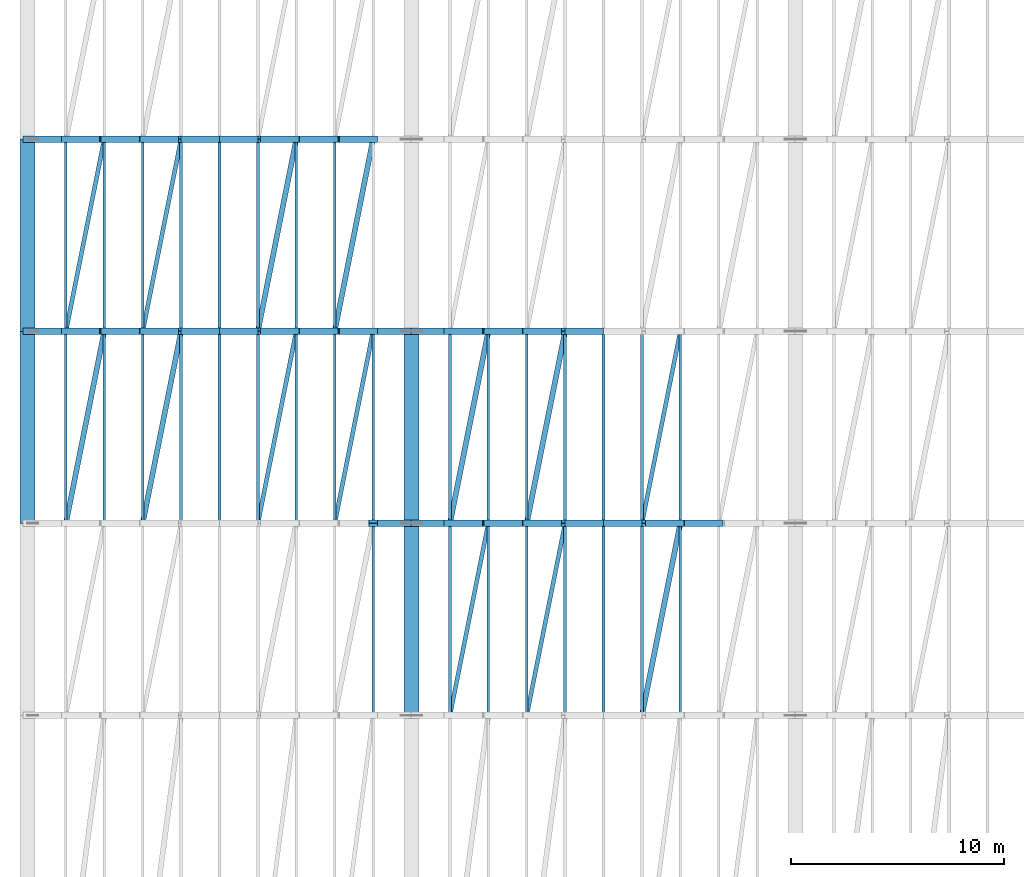
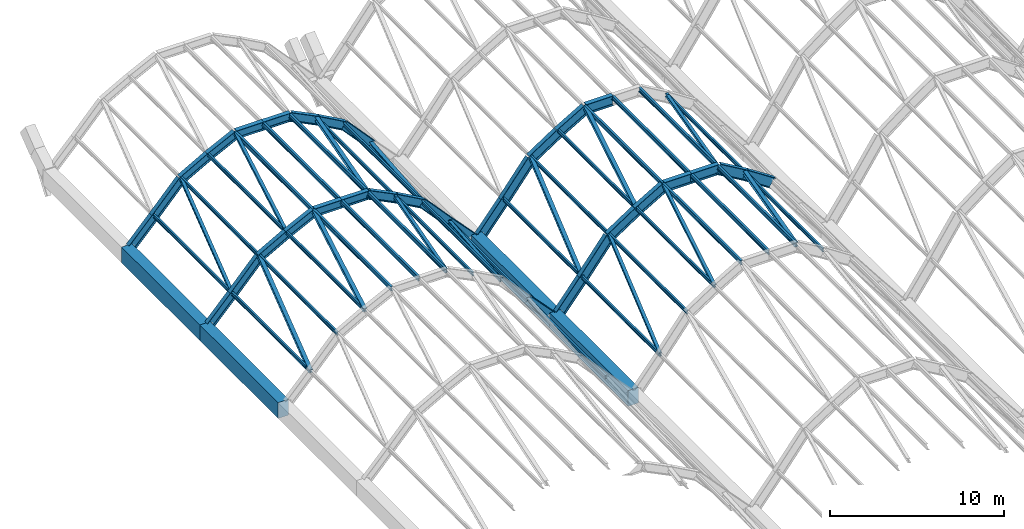
# One storey, part 18 of 86: 46 members, 37 beams.
"""IFC4 building model written with IfcOpenShell, lengths in metres."""

from ifc_helpers import new_model, si_unit, direction, frame, origin, origin_2d, place, context, subcontext, project, spatial, rectangle, i_section, extrude, material, material_profile, profile_set, type_object, element, save


model = new_model("IFC4")

# Units and contexts
model_context = context("Model", 3, precision=1e-05, world=origin(), true_north=direction((0.0, 1.0)))
body_context = subcontext(model_context, "Body", "Model", "MODEL_VIEW")
ifc_project = project(units=[si_unit("LENGTHUNIT", "METRE"), si_unit("AREAUNIT", "SQUARE_METRE"), si_unit("VOLUMEUNIT", "CUBIC_METRE"), si_unit("PLANEANGLEUNIT", "RADIAN"), si_unit("MASSUNIT", "GRAM", prefix="KILO")], contexts=[model_context])

# Site, building, storey
site_placement = place(None, origin())
site = spatial("IfcSite", under=ifc_project, at=site_placement, CompositionType="ELEMENT")
building_placement = place(site_placement, origin())
building = spatial("IfcBuilding", under=site, at=building_placement, Name="Chuanluo Vaults Station", CompositionType="ELEMENT")
storey_placement = place(building_placement, frame((0.0, 0.0, 14.39990234375)))
storey = spatial("IfcBuildingStorey", under=building, at=storey_placement, Name="L03", CompositionType="ELEMENT", Elevation=14.39990234375)

# Beams
ifc_material_1 = material(Name="Concrete C50", Category="concrete")
ifc_material_profile_1 = material_profile(ifc_material_1, rectangle(XDim=0.699951171875, YDim=1.10009765625, at=origin_2d()))
ifc_profile_set_1 = profile_set([ifc_material_profile_1], Name="Concrete C50")
beam_type_1 = type_object("IfcBeamType", Name="BM-VAL-RC", PredefinedType="USERDEFINED", material=ifc_profile_set_1)
for number, where, z_axis, x_axis, name in (
    (1, (0.0, 76.5, -0.7998046875), (0.0, 1.0, 0.0), (-1.0, 0.0, 0.0), "Vault springing valley beam X0-6"),
    (2, (0.0, 85.5, -0.7998046875), (0.0, 1.0, 0.0), (-1.0, 0.0, 0.0), "Vault springing valley beam X0-7"),
    (3, (18.0, 67.5, -0.7998046875), (0.0, 1.0, 0.0), (-1.0, 0.0, 0.0), "Vault springing valley beam X18-5"),
    (4, (18.0, 76.5, -0.7998046875), (0.0, 1.0, 0.0), (-1.0, 0.0, 0.0), "Vault springing valley beam X18-6"),
):
    element("IfcBeam", number, at=place(storey_placement, frame(where, z_axis=z_axis, x_axis=x_axis)), inside=storey, type_object=beam_type_1, Name=name, ObjectType="GIRDER", PredefinedType="USERDEFINED", context=body_context, shape_type="SweptSolid", body=[
        extrude(rectangle(XDim=0.699951171875, YDim=1.10009765625, at=origin_2d()), origin(), (0.0, 0.0, 1.0), 9.0),
    ])
ifc_material_2 = material(Name="Steel Q355C", Category="steel")
ifc_material_profile_2 = material_profile(ifc_material_2, i_section(OverallWidth=0.300048828125, OverallDepth=0.587890625, WebThickness=0.011962890625, FlangeThickness=0.02001953125, FilletRadius=0.02392578125, at=origin_2d()))
ifc_profile_set_2 = profile_set([ifc_material_profile_2], Name="Steel Q355C")
beam_type_2 = type_object("IfcBeamType", Name="BM-VLT-600", PredefinedType="USERDEFINED", material=ifc_profile_set_2)
for number, where, z_axis, x_axis, name in (
    (5, (16.199951171875, 76.5, 1.173095703125), (0.684521510403, 0.0, -0.728992662374), (0.0, 1.0, 0.0), "Vault V1 arch rib 6 chord 10"),
    (6, (0.0, 85.5, -0.743896484375), (0.684521510403, 0.0, 0.728992662374), (0.0, 1.0, 0.0), "Vault V1 arch rib 7 chord 1"),
):
    element("IfcBeam", number, at=place(storey_placement, frame(where, z_axis=z_axis, x_axis=x_axis)), inside=storey, type_object=beam_type_2, Name=name, ObjectType="GIRDER", PredefinedType="USERDEFINED", context=body_context, shape_type="SweptSolid", body=[
        extrude(i_section(OverallWidth=0.300048828125, OverallDepth=0.587890625, WebThickness=0.011962890625, FlangeThickness=0.02001953125, FilletRadius=0.02392578125, at=origin_2d()), origin(), (0.0, 0.0, 1.0), 2.629638671875),
    ])
beam_1_placement = place(storey_placement, frame((1.800048828125, 85.5, 1.173095703125), z_axis=(0.674369120381, 0.0, 0.738394399679), x_axis=(0.0, 1.0, 0.0)))
element("IfcBeam", 7, at=beam_1_placement, inside=storey, type_object=beam_type_2, Name="Vault V1 arch rib 7 chord 2", ObjectType="GIRDER", PredefinedType="USERDEFINED", context=body_context, shape_type="SweptSolid", body=[
    extrude(i_section(OverallWidth=0.300048828125, OverallDepth=0.587890625, WebThickness=0.011962890625, FlangeThickness=0.02001953125, FilletRadius=0.02392578125, at=origin_2d()), origin(), (0.0, 0.0, 1.0), 2.669189453125),
])
beam_2_placement = place(storey_placement, frame((3.60009765625, 85.5, 3.14404296875), z_axis=(0.873681685546, 0.0, 0.486498008569), x_axis=(0.0, 1.0, 0.0)))
element("IfcBeam", 8, at=beam_2_placement, inside=storey, type_object=beam_type_2, Name="Vault V1 arch rib 7 chord 3", ObjectType="GIRDER", PredefinedType="USERDEFINED", context=body_context, shape_type="SweptSolid", body=[
    extrude(i_section(OverallWidth=0.300048828125, OverallDepth=0.587890625, WebThickness=0.011962890625, FlangeThickness=0.02001953125, FilletRadius=0.02392578125, at=origin_2d()), origin(), (0.0, 0.0, 1.0), 2.06005859375),
])
beam_3_placement = place(storey_placement, frame((5.39990234375, 85.5, 4.146240234375), z_axis=(0.896436371213, 0.0, 0.443172463457), x_axis=(0.0, 1.0, 0.0)))
element("IfcBeam", 9, at=beam_3_placement, inside=storey, type_object=beam_type_2, Name="Vault V1 arch rib 7 chord 4", ObjectType="GIRDER", PredefinedType="USERDEFINED", context=body_context, shape_type="SweptSolid", body=[
    extrude(i_section(OverallWidth=0.300048828125, OverallDepth=0.587890625, WebThickness=0.011962890625, FlangeThickness=0.02001953125, FilletRadius=0.02392578125, at=origin_2d()), origin(), (0.0, 0.0, 1.0), 2.008056640625),
])
for number, where, z_axis, x_axis, name in (
    (10, (7.199951171875, 85.5, 5.0361328125), (1.0, 0.0, 0.0), (0.0, 1.0, 0.0), "Vault V1 arch rib 7 chord 5"),
    (11, (9.0, 85.5, 5.0361328125), (1.0, 0.0, 0.0), (0.0, 1.0, 0.0), "Vault V1 arch rib 7 chord 6"),
):
    element("IfcBeam", number, at=place(storey_placement, frame(where, z_axis=z_axis, x_axis=x_axis)), inside=storey, type_object=beam_type_2, Name=name, ObjectType="GIRDER", PredefinedType="USERDEFINED", context=body_context, shape_type="SweptSolid", body=[
        extrude(i_section(OverallWidth=0.300048828125, OverallDepth=0.587890625, WebThickness=0.011962890625, FlangeThickness=0.02001953125, FilletRadius=0.02392578125, at=origin_2d()), origin(), (0.0, 0.0, 1.0), 1.800048828125),
    ])
beam_4_placement = place(storey_placement, frame((10.800048828125, 85.5, 5.0361328125), z_axis=(0.896436371213, 0.0, -0.443172463457), x_axis=(0.0, 1.0, 0.0)))
element("IfcBeam", 12, at=beam_4_placement, inside=storey, type_object=beam_type_2, Name="Vault V1 arch rib 7 chord 7", ObjectType="GIRDER", PredefinedType="USERDEFINED", context=body_context, shape_type="SweptSolid", body=[
    extrude(i_section(OverallWidth=0.300048828125, OverallDepth=0.587890625, WebThickness=0.011962890625, FlangeThickness=0.02001953125, FilletRadius=0.02392578125, at=origin_2d()), origin(), (0.0, 0.0, 1.0), 2.008056640625),
])
beam_5_placement = place(storey_placement, frame((12.60009765625, 85.5, 4.146240234375), z_axis=(0.873681685546, 0.0, -0.486498008569), x_axis=(0.0, 1.0, 0.0)))
element("IfcBeam", 13, at=beam_5_placement, inside=storey, type_object=beam_type_2, Name="Vault V1 arch rib 7 chord 8", ObjectType="GIRDER", PredefinedType="USERDEFINED", context=body_context, shape_type="SweptSolid", body=[
    extrude(i_section(OverallWidth=0.300048828125, OverallDepth=0.587890625, WebThickness=0.011962890625, FlangeThickness=0.02001953125, FilletRadius=0.02392578125, at=origin_2d()), origin(), (0.0, 0.0, 1.0), 2.06005859375),
])
beam_6_placement = place(storey_placement, frame((14.39990234375, 85.5, 3.14404296875), z_axis=(0.674369120381, 0.0, -0.738394399679), x_axis=(0.0, 1.0, 0.0)))
element("IfcBeam", 14, at=beam_6_placement, inside=storey, type_object=beam_type_2, Name="Vault V1 arch rib 7 chord 9", ObjectType="GIRDER", PredefinedType="USERDEFINED", context=body_context, shape_type="SweptSolid", body=[
    extrude(i_section(OverallWidth=0.300048828125, OverallDepth=0.587890625, WebThickness=0.011962890625, FlangeThickness=0.02001953125, FilletRadius=0.02392578125, at=origin_2d()), origin(), (0.0, 0.0, 1.0), 2.669189453125),
])
for number, where, z_axis, x_axis, name in (
    (15, (16.199951171875, 85.5, 1.173095703125), (0.684521510403, 0.0, -0.728992662374), (0.0, 1.0, 0.0), "Vault V1 arch rib 7 chord 10"),
    (16, (0.0, 94.5, -0.743896484375), (0.684521510403, 0.0, 0.728992662374), (0.0, 1.0, 0.0), "Vault V1 arch rib 8 chord 1"),
):
    element("IfcBeam", number, at=place(storey_placement, frame(where, z_axis=z_axis, x_axis=x_axis)), inside=storey, type_object=beam_type_2, Name=name, ObjectType="GIRDER", PredefinedType="USERDEFINED", context=body_context, shape_type="SweptSolid", body=[
        extrude(i_section(OverallWidth=0.300048828125, OverallDepth=0.587890625, WebThickness=0.011962890625, FlangeThickness=0.02001953125, FilletRadius=0.02392578125, at=origin_2d()), origin(), (0.0, 0.0, 1.0), 2.629638671875),
    ])
beam_7_placement = place(storey_placement, frame((1.800048828125, 94.5, 1.173095703125), z_axis=(0.674369120381, 0.0, 0.738394399679), x_axis=(0.0, 1.0, 0.0)))
element("IfcBeam", 17, at=beam_7_placement, inside=storey, type_object=beam_type_2, Name="Vault V1 arch rib 8 chord 2", ObjectType="GIRDER", PredefinedType="USERDEFINED", context=body_context, shape_type="SweptSolid", body=[
    extrude(i_section(OverallWidth=0.300048828125, OverallDepth=0.587890625, WebThickness=0.011962890625, FlangeThickness=0.02001953125, FilletRadius=0.02392578125, at=origin_2d()), origin(), (0.0, 0.0, 1.0), 2.669189453125),
])
beam_8_placement = place(storey_placement, frame((3.60009765625, 94.5, 3.14404296875), z_axis=(0.873681685546, 0.0, 0.486498008569), x_axis=(0.0, 1.0, 0.0)))
element("IfcBeam", 18, at=beam_8_placement, inside=storey, type_object=beam_type_2, Name="Vault V1 arch rib 8 chord 3", ObjectType="GIRDER", PredefinedType="USERDEFINED", context=body_context, shape_type="SweptSolid", body=[
    extrude(i_section(OverallWidth=0.300048828125, OverallDepth=0.587890625, WebThickness=0.011962890625, FlangeThickness=0.02001953125, FilletRadius=0.02392578125, at=origin_2d()), origin(), (0.0, 0.0, 1.0), 2.06005859375),
])
beam_9_placement = place(storey_placement, frame((5.39990234375, 94.5, 4.146240234375), z_axis=(0.896436371213, 0.0, 0.443172463457), x_axis=(0.0, 1.0, 0.0)))
element("IfcBeam", 19, at=beam_9_placement, inside=storey, type_object=beam_type_2, Name="Vault V1 arch rib 8 chord 4", ObjectType="GIRDER", PredefinedType="USERDEFINED", context=body_context, shape_type="SweptSolid", body=[
    extrude(i_section(OverallWidth=0.300048828125, OverallDepth=0.587890625, WebThickness=0.011962890625, FlangeThickness=0.02001953125, FilletRadius=0.02392578125, at=origin_2d()), origin(), (0.0, 0.0, 1.0), 2.008056640625),
])
for number, where, z_axis, x_axis, name in (
    (20, (7.199951171875, 94.5, 5.0361328125), (1.0, 0.0, 0.0), (0.0, 1.0, 0.0), "Vault V1 arch rib 8 chord 5"),
    (21, (9.0, 94.5, 5.0361328125), (1.0, 0.0, 0.0), (0.0, 1.0, 0.0), "Vault V1 arch rib 8 chord 6"),
):
    element("IfcBeam", number, at=place(storey_placement, frame(where, z_axis=z_axis, x_axis=x_axis)), inside=storey, type_object=beam_type_2, Name=name, ObjectType="GIRDER", PredefinedType="USERDEFINED", context=body_context, shape_type="SweptSolid", body=[
        extrude(i_section(OverallWidth=0.300048828125, OverallDepth=0.587890625, WebThickness=0.011962890625, FlangeThickness=0.02001953125, FilletRadius=0.02392578125, at=origin_2d()), origin(), (0.0, 0.0, 1.0), 1.800048828125),
    ])
beam_10_placement = place(storey_placement, frame((10.800048828125, 94.5, 5.0361328125), z_axis=(0.896436371213, 0.0, -0.443172463457), x_axis=(0.0, 1.0, 0.0)))
element("IfcBeam", 22, at=beam_10_placement, inside=storey, type_object=beam_type_2, Name="Vault V1 arch rib 8 chord 7", ObjectType="GIRDER", PredefinedType="USERDEFINED", context=body_context, shape_type="SweptSolid", body=[
    extrude(i_section(OverallWidth=0.300048828125, OverallDepth=0.587890625, WebThickness=0.011962890625, FlangeThickness=0.02001953125, FilletRadius=0.02392578125, at=origin_2d()), origin(), (0.0, 0.0, 1.0), 2.008056640625),
])
beam_11_placement = place(storey_placement, frame((12.60009765625, 94.5, 4.146240234375), z_axis=(0.873681685546, 0.0, -0.486498008569), x_axis=(0.0, 1.0, 0.0)))
element("IfcBeam", 23, at=beam_11_placement, inside=storey, type_object=beam_type_2, Name="Vault V1 arch rib 8 chord 8", ObjectType="GIRDER", PredefinedType="USERDEFINED", context=body_context, shape_type="SweptSolid", body=[
    extrude(i_section(OverallWidth=0.300048828125, OverallDepth=0.587890625, WebThickness=0.011962890625, FlangeThickness=0.02001953125, FilletRadius=0.02392578125, at=origin_2d()), origin(), (0.0, 0.0, 1.0), 2.06005859375),
])
beam_12_placement = place(storey_placement, frame((14.39990234375, 94.5, 3.14404296875), z_axis=(0.674369120381, 0.0, -0.738394399679), x_axis=(0.0, 1.0, 0.0)))
element("IfcBeam", 24, at=beam_12_placement, inside=storey, type_object=beam_type_2, Name="Vault V1 arch rib 8 chord 9", ObjectType="GIRDER", PredefinedType="USERDEFINED", context=body_context, shape_type="SweptSolid", body=[
    extrude(i_section(OverallWidth=0.300048828125, OverallDepth=0.587890625, WebThickness=0.011962890625, FlangeThickness=0.02001953125, FilletRadius=0.02392578125, at=origin_2d()), origin(), (0.0, 0.0, 1.0), 2.669189453125),
])
ifc_material_3 = material(Name="Steel Q355C", Category="steel")
ifc_material_profile_3 = material_profile(ifc_material_3, i_section(OverallWidth=0.300048828125, OverallDepth=0.699951171875, WebThickness=0.012939453125, FlangeThickness=0.02392578125, FilletRadius=0.02392578125, at=origin_2d()))
ifc_profile_set_3 = profile_set([ifc_material_profile_3], Name="Steel Q355C")
beam_type_3 = type_object("IfcBeamType", Name="BM-VLT-700", PredefinedType="USERDEFINED", material=ifc_profile_set_3)
beam_13_placement = place(storey_placement, frame((18.0, 76.5, -0.7998046875), z_axis=(0.628190338877, 0.0, 0.778059700885), x_axis=(0.0, 1.0, 0.0)))
element("IfcBeam", 25, at=beam_13_placement, inside=storey, type_object=beam_type_3, Name="Vault V2 arch rib 6 chord 1", ObjectType="GIRDER", PredefinedType="USERDEFINED", context=body_context, shape_type="SweptSolid", body=[
    extrude(i_section(OverallWidth=0.300048828125, OverallDepth=0.699951171875, WebThickness=0.012939453125, FlangeThickness=0.02392578125, FilletRadius=0.02392578125, at=origin_2d()), origin(), (0.0, 0.0, 1.0), 2.865478515625),
])
beam_14_placement = place(storey_placement, frame((19.800048828125, 76.5, 1.4296875), z_axis=(0.613681275736, 0.0, 0.789553856182), x_axis=(0.0, 1.0, 0.0)))
element("IfcBeam", 26, at=beam_14_placement, inside=storey, type_object=beam_type_3, Name="Vault V2 arch rib 6 chord 2", ObjectType="GIRDER", PredefinedType="USERDEFINED", context=body_context, shape_type="SweptSolid", body=[
    extrude(i_section(OverallWidth=0.300048828125, OverallDepth=0.699951171875, WebThickness=0.012939453125, FlangeThickness=0.02392578125, FilletRadius=0.02392578125, at=origin_2d()), origin(), (0.0, 0.0, 1.0), 2.93310546875),
])
beam_15_placement = place(storey_placement, frame((21.60009765625, 76.5, 3.74560546875), z_axis=(0.836145448105, 0.0, 0.54850778446), x_axis=(0.0, 1.0, 0.0)))
element("IfcBeam", 27, at=beam_15_placement, inside=storey, type_object=beam_type_3, Name="Vault V2 arch rib 6 chord 3", ObjectType="GIRDER", PredefinedType="USERDEFINED", context=body_context, shape_type="SweptSolid", body=[
    extrude(i_section(OverallWidth=0.300048828125, OverallDepth=0.699951171875, WebThickness=0.012939453125, FlangeThickness=0.02392578125, FilletRadius=0.02392578125, at=origin_2d()), origin(), (0.0, 0.0, 1.0), 2.152587890625),
])
beam_16_placement = place(storey_placement, frame((23.39990234375, 76.5, 4.92626953125), z_axis=(0.863009490662, 0.0, 0.505187706727), x_axis=(0.0, 1.0, 0.0)))
element("IfcBeam", 28, at=beam_16_placement, inside=storey, type_object=beam_type_3, Name="Vault V2 arch rib 6 chord 4", ObjectType="GIRDER", PredefinedType="USERDEFINED", context=body_context, shape_type="SweptSolid", body=[
    extrude(i_section(OverallWidth=0.300048828125, OverallDepth=0.699951171875, WebThickness=0.012939453125, FlangeThickness=0.02392578125, FilletRadius=0.02392578125, at=origin_2d()), origin(), (0.0, 0.0, 1.0), 2.085693359375),
])
for number, where, z_axis, x_axis, name in (
    (29, (25.199951171875, 76.5, 5.97998046875), (1.0, 0.0, 0.0), (0.0, 1.0, 0.0), "Vault V2 arch rib 6 chord 5"),
    (30, (27.0, 76.5, 5.97998046875), (1.0, 0.0, 0.0), (0.0, 1.0, 0.0), "Vault V2 arch rib 6 chord 6"),
):
    element("IfcBeam", number, at=place(storey_placement, frame(where, z_axis=z_axis, x_axis=x_axis)), inside=storey, type_object=beam_type_3, Name=name, ObjectType="GIRDER", PredefinedType="USERDEFINED", context=body_context, shape_type="SweptSolid", body=[
        extrude(i_section(OverallWidth=0.300048828125, OverallDepth=0.699951171875, WebThickness=0.012939453125, FlangeThickness=0.02392578125, FilletRadius=0.02392578125, at=origin_2d()), origin(), (0.0, 0.0, 1.0), 1.800048828125),
    ])
beam_17_placement = place(storey_placement, frame((28.800048828125, 76.5, 5.97998046875), z_axis=(0.863009490662, 0.0, -0.505187706727), x_axis=(0.0, 1.0, 0.0)))
element("IfcBeam", 31, at=beam_17_placement, inside=storey, type_object=beam_type_3, Name="Vault V2 arch rib 6 chord 7", ObjectType="GIRDER", PredefinedType="USERDEFINED", context=body_context, shape_type="SweptSolid", body=[
    extrude(i_section(OverallWidth=0.300048828125, OverallDepth=0.699951171875, WebThickness=0.012939453125, FlangeThickness=0.02392578125, FilletRadius=0.02392578125, at=origin_2d()), origin(), (0.0, 0.0, 1.0), 2.085693359375),
])
beam_18_placement = place(storey_placement, frame((30.60009765625, 76.5, 4.92626953125), z_axis=(0.836145448105, 0.0, -0.54850778446), x_axis=(0.0, 1.0, 0.0)))
element("IfcBeam", 32, at=beam_18_placement, inside=storey, type_object=beam_type_3, Name="Vault V2 arch rib 6 chord 8", ObjectType="GIRDER", PredefinedType="USERDEFINED", context=body_context, shape_type="SweptSolid", body=[
    extrude(i_section(OverallWidth=0.300048828125, OverallDepth=0.699951171875, WebThickness=0.012939453125, FlangeThickness=0.02392578125, FilletRadius=0.02392578125, at=origin_2d()), origin(), (0.0, 0.0, 1.0), 2.152587890625),
])
beam_19_placement = place(storey_placement, frame((18.0, 85.5, -0.7998046875), z_axis=(0.628190338877, 0.0, 0.778059700885), x_axis=(0.0, 1.0, 0.0)))
element("IfcBeam", 33, at=beam_19_placement, inside=storey, type_object=beam_type_3, Name="Vault V2 arch rib 7 chord 1", ObjectType="GIRDER", PredefinedType="USERDEFINED", context=body_context, shape_type="SweptSolid", body=[
    extrude(i_section(OverallWidth=0.300048828125, OverallDepth=0.699951171875, WebThickness=0.012939453125, FlangeThickness=0.02392578125, FilletRadius=0.02392578125, at=origin_2d()), origin(), (0.0, 0.0, 1.0), 2.865478515625),
])
beam_20_placement = place(storey_placement, frame((19.800048828125, 85.5, 1.4296875), z_axis=(0.613681275736, 0.0, 0.789553856182), x_axis=(0.0, 1.0, 0.0)))
element("IfcBeam", 34, at=beam_20_placement, inside=storey, type_object=beam_type_3, Name="Vault V2 arch rib 7 chord 2", ObjectType="GIRDER", PredefinedType="USERDEFINED", context=body_context, shape_type="SweptSolid", body=[
    extrude(i_section(OverallWidth=0.300048828125, OverallDepth=0.699951171875, WebThickness=0.012939453125, FlangeThickness=0.02392578125, FilletRadius=0.02392578125, at=origin_2d()), origin(), (0.0, 0.0, 1.0), 2.93310546875),
])
beam_21_placement = place(storey_placement, frame((21.60009765625, 85.5, 3.74560546875), z_axis=(0.836145448105, 0.0, 0.54850778446), x_axis=(0.0, 1.0, 0.0)))
element("IfcBeam", 35, at=beam_21_placement, inside=storey, type_object=beam_type_3, Name="Vault V2 arch rib 7 chord 3", ObjectType="GIRDER", PredefinedType="USERDEFINED", context=body_context, shape_type="SweptSolid", body=[
    extrude(i_section(OverallWidth=0.300048828125, OverallDepth=0.699951171875, WebThickness=0.012939453125, FlangeThickness=0.02392578125, FilletRadius=0.02392578125, at=origin_2d()), origin(), (0.0, 0.0, 1.0), 2.152587890625),
])
beam_22_placement = place(storey_placement, frame((23.39990234375, 85.5, 4.92626953125), z_axis=(0.863009490662, 0.0, 0.505187706727), x_axis=(0.0, 1.0, 0.0)))
element("IfcBeam", 36, at=beam_22_placement, inside=storey, type_object=beam_type_3, Name="Vault V2 arch rib 7 chord 4", ObjectType="GIRDER", PredefinedType="USERDEFINED", context=body_context, shape_type="SweptSolid", body=[
    extrude(i_section(OverallWidth=0.300048828125, OverallDepth=0.699951171875, WebThickness=0.012939453125, FlangeThickness=0.02392578125, FilletRadius=0.02392578125, at=origin_2d()), origin(), (0.0, 0.0, 1.0), 2.085693359375),
])
beam_23_placement = place(storey_placement, frame((25.199951171875, 85.5, 5.97998046875), z_axis=(1.0, 0.0, 0.0), x_axis=(0.0, 1.0, 0.0)))
element("IfcBeam", 37, at=beam_23_placement, inside=storey, type_object=beam_type_3, Name="Vault V2 arch rib 7 chord 5", ObjectType="GIRDER", PredefinedType="USERDEFINED", context=body_context, shape_type="SweptSolid", body=[
    extrude(i_section(OverallWidth=0.300048828125, OverallDepth=0.699951171875, WebThickness=0.012939453125, FlangeThickness=0.02392578125, FilletRadius=0.02392578125, at=origin_2d()), origin(), (0.0, 0.0, 1.0), 1.800048828125),
])

# Members
ifc_material_4 = material(Name="Steel Q355C", Category="steel")
ifc_material_profile_4 = material_profile(ifc_material_4, i_section(OverallWidth=0.125, OverallDepth=0.25, WebThickness=0.006103515625, FlangeThickness=0.009033203125, FilletRadius=0.011962890625, at=origin_2d()))
ifc_profile_set_4 = profile_set([ifc_material_profile_4], Name="Steel Q355C")
member_type_1 = type_object("IfcMemberType", Name="MEM-PUR-250", PredefinedType="PURLIN", material=ifc_profile_set_4)
for number, where, z_axis, x_axis, name in (
    (38, (16.199951171875, 67.5, 1.213134765625), (0.0, 1.0, 0.0), (-1.0, 0.0, 0.0), "Vault V1 purlin 5.9"),
    (39, (1.800048828125, 76.5, 1.213134765625), (0.0, 1.0, 0.0), (-1.0, 0.0, 0.0), "Vault V1 purlin 6.1"),
    (40, (3.60009765625, 76.5, 3.206787109375), (0.0, 1.0, 0.0), (-1.0, 0.0, 0.0), "Vault V1 purlin 6.2"),
    (41, (5.39990234375, 76.5, 4.23779296875), (0.0, 1.0, 0.0), (-1.0, 0.0, 0.0), "Vault V1 purlin 6.3"),
    (42, (12.60009765625, 76.5, 4.23779296875), (0.0, 1.0, 0.0), (-1.0, 0.0, 0.0), "Vault V1 purlin 6.7"),
    (43, (14.39990234375, 76.5, 3.206787109375), (0.0, 1.0, 0.0), (-1.0, 0.0, 0.0), "Vault V1 purlin 6.8"),
    (44, (16.199951171875, 76.5, 1.213134765625), (0.0, 1.0, 0.0), (-1.0, 0.0, 0.0), "Vault V1 purlin 6.9"),
    (45, (1.800048828125, 85.5, 1.213134765625), (0.0, 1.0, 0.0), (-1.0, 0.0, 0.0), "Vault V1 purlin 7.1"),
    (46, (3.60009765625, 85.5, 3.206787109375), (0.0, 1.0, 0.0), (-1.0, 0.0, 0.0), "Vault V1 purlin 7.2"),
    (47, (5.39990234375, 85.5, 4.23779296875), (0.0, 1.0, 0.0), (-1.0, 0.0, 0.0), "Vault V1 purlin 7.3"),
    (48, (12.60009765625, 85.5, 4.23779296875), (0.0, 1.0, 0.0), (-1.0, 0.0, 0.0), "Vault V1 purlin 7.7"),
    (49, (14.39990234375, 85.5, 3.206787109375), (0.0, 1.0, 0.0), (-1.0, 0.0, 0.0), "Vault V1 purlin 7.8"),
    (50, (19.800048828125, 67.5, 1.5126953125), (0.0, 1.0, 0.0), (-1.0, 0.0, 0.0), "Vault V2 purlin 5.1"),
    (51, (21.60009765625, 67.5, 3.849853515625), (0.0, 1.0, 0.0), (-1.0, 0.0, 0.0), "Vault V2 purlin 5.2"),
    (52, (23.39990234375, 67.5, 5.068115234375), (0.0, 1.0, 0.0), (-1.0, 0.0, 0.0), "Vault V2 purlin 5.3"),
    (53, (30.60009765625, 67.5, 5.068115234375), (0.0, 1.0, 0.0), (-1.0, 0.0, 0.0), "Vault V2 purlin 5.7"),
    (54, (19.800048828125, 76.5, 1.5126953125), (0.0, 1.0, 0.0), (-1.0, 0.0, 0.0), "Vault V2 purlin 6.1"),
    (55, (21.60009765625, 76.5, 3.849853515625), (0.0, 1.0, 0.0), (-1.0, 0.0, 0.0), "Vault V2 purlin 6.2"),
    (56, (23.39990234375, 76.5, 5.068115234375), (0.0, 1.0, 0.0), (-1.0, 0.0, 0.0), "Vault V2 purlin 6.3"),
    (57, (30.60009765625, 76.5, 5.068115234375), (0.0, 1.0, 0.0), (-1.0, 0.0, 0.0), "Vault V2 purlin 6.7"),
):
    element("IfcMember", number, at=place(storey_placement, frame(where, z_axis=z_axis, x_axis=x_axis)), inside=storey, type_object=member_type_1, Name=name, PredefinedType="PURLIN", context=body_context, shape_type="SweptSolid", body=[
        extrude(i_section(OverallWidth=0.125, OverallDepth=0.25, WebThickness=0.006103515625, FlangeThickness=0.009033203125, FilletRadius=0.011962890625, at=origin_2d()), origin(), (0.0, 0.0, 1.0), 9.0),
    ])
ifc_material_5 = material(Name="Steel Q355C", Category="steel")
ifc_material_profile_5 = material_profile(ifc_material_5, i_section(OverallWidth=0.14990234375, OverallDepth=0.300048828125, WebThickness=0.006591796875, FlangeThickness=0.009033203125, FilletRadius=0.012939453125, at=origin_2d()))
ifc_profile_set_5 = profile_set([ifc_material_profile_5], Name="Steel Q355C")
member_type_2 = type_object("IfcMemberType", Name="MEM-PUR-300", PredefinedType="PURLIN", material=ifc_profile_set_5)
for number, where, z_axis, x_axis, name in (
    (58, (7.199951171875, 76.5, 5.102294921875), (0.0, 1.0, 0.0), (-1.0, 0.0, 0.0), "Vault V1 purlin 6.4"),
    (59, (9.0, 76.5, 5.172119140625), (0.0, 1.0, 0.0), (-1.0, 0.0, 0.0), "Vault V1 purlin 6.5"),
    (60, (10.800048828125, 76.5, 5.102294921875), (0.0, 1.0, 0.0), (-1.0, 0.0, 0.0), "Vault V1 purlin 6.6"),
    (61, (7.199951171875, 85.5, 5.102294921875), (0.0, 1.0, 0.0), (-1.0, 0.0, 0.0), "Vault V1 purlin 7.4"),
    (62, (9.0, 85.5, 5.172119140625), (0.0, 1.0, 0.0), (-1.0, 0.0, 0.0), "Vault V1 purlin 7.5"),
    (63, (10.800048828125, 85.5, 5.102294921875), (0.0, 1.0, 0.0), (-1.0, 0.0, 0.0), "Vault V1 purlin 7.6"),
    (64, (25.199951171875, 67.5, 6.085693359375), (0.0, 1.0, 0.0), (-1.0, 0.0, 0.0), "Vault V2 purlin 5.4"),
    (65, (27.0, 67.5, 6.172119140625), (0.0, 1.0, 0.0), (-1.0, 0.0, 0.0), "Vault V2 purlin 5.5"),
    (66, (28.800048828125, 67.5, 6.085693359375), (0.0, 1.0, 0.0), (-1.0, 0.0, 0.0), "Vault V2 purlin 5.6"),
    (67, (25.199951171875, 76.5, 6.085693359375), (0.0, 1.0, 0.0), (-1.0, 0.0, 0.0), "Vault V2 purlin 6.4"),
    (68, (27.0, 76.5, 6.172119140625), (0.0, 1.0, 0.0), (-1.0, 0.0, 0.0), "Vault V2 purlin 6.5"),
    (69, (28.800048828125, 76.5, 6.085693359375), (0.0, 1.0, 0.0), (-1.0, 0.0, 0.0), "Vault V2 purlin 6.6"),
):
    element("IfcMember", number, at=place(storey_placement, frame(where, z_axis=z_axis, x_axis=x_axis)), inside=storey, type_object=member_type_2, Name=name, PredefinedType="PURLIN", context=body_context, shape_type="SweptSolid", body=[
        extrude(i_section(OverallWidth=0.14990234375, OverallDepth=0.300048828125, WebThickness=0.006591796875, FlangeThickness=0.009033203125, FilletRadius=0.012939453125, at=origin_2d()), origin(), (0.0, 0.0, 1.0), 9.0),
    ])
ifc_material_6 = material(Name="Steel Q355C", Category="steel")
ifc_material_profile_6 = material_profile(ifc_material_6, i_section(OverallWidth=0.199951171875, OverallDepth=0.199951171875, WebThickness=0.008056640625, FlangeThickness=0.011962890625, FilletRadius=0.012939453125, at=origin_2d()))
ifc_profile_set_6 = profile_set([ifc_material_profile_6], Name="Steel Q355C")
member_type_3 = type_object("IfcMemberType", Name="MEM-VBR-200", PredefinedType="BRACE", material=ifc_profile_set_6)
member_1_placement = place(storey_placement, frame((10.800048828125, 76.5, 5.102294921875), z_axis=(0.195257020583, 0.976258620206, -0.093775275991), x_axis=(-0.980579652604, 0.196121250506, 0.0)))
element("IfcMember", 70, at=member_1_placement, inside=storey, type_object=member_type_3, Name="Vault V1 space-frame diagonal 6.6", PredefinedType="BRACE", context=body_context, shape_type="SweptSolid", body=[
    extrude(i_section(OverallWidth=0.199951171875, OverallDepth=0.199951171875, WebThickness=0.008056640625, FlangeThickness=0.011962890625, FilletRadius=0.012939453125, at=origin_2d()), origin(), (0.0, 0.0, 1.0), 9.21875),
])
for number, where, z_axis, x_axis, name in (
    (71, (14.39990234375, 76.5, 3.206787109375), (0.191652062064, 0.958234316551, -0.212265121228), (-0.980579652604, 0.196121250506, 0.0), "Vault V1 space-frame diagonal 6.8"),
    (72, (1.800048828125, 85.5, 1.213134765625), (0.191652062064, 0.958234316551, 0.212265121228), (-0.980579652604, 0.196121250506, 0.0), "Vault V1 space-frame diagonal 7.1"),
):
    element("IfcMember", number, at=place(storey_placement, frame(where, z_axis=z_axis, x_axis=x_axis)), inside=storey, type_object=member_type_3, Name=name, PredefinedType="BRACE", context=body_context, shape_type="SweptSolid", body=[
        extrude(i_section(OverallWidth=0.199951171875, OverallDepth=0.199951171875, WebThickness=0.008056640625, FlangeThickness=0.011962890625, FilletRadius=0.012939453125, at=origin_2d()), origin(), (0.0, 0.0, 1.0), 9.392333984375),
    ])
member_2_placement = place(storey_placement, frame((5.39990234375, 85.5, 4.23779296875), z_axis=(0.195257020583, 0.976258620206, 0.093775275991), x_axis=(-0.980579652604, 0.196121250506, 0.0)))
element("IfcMember", 73, at=member_2_placement, inside=storey, type_object=member_type_3, Name="Vault V1 space-frame diagonal 7.3", PredefinedType="BRACE", context=body_context, shape_type="SweptSolid", body=[
    extrude(i_section(OverallWidth=0.199951171875, OverallDepth=0.199951171875, WebThickness=0.008056640625, FlangeThickness=0.011962890625, FilletRadius=0.012939453125, at=origin_2d()), origin(), (0.0, 0.0, 1.0), 9.21875),
])
member_3_placement = place(storey_placement, frame((19.800048828125, 67.5, 1.5126953125), z_axis=(0.19005620389, 0.950255242126, 0.246766314911), x_axis=(-0.980579652604, 0.196121250506, 0.0)))
element("IfcMember", 74, at=member_3_placement, inside=storey, type_object=member_type_3, Name="Vault V2 space-frame diagonal 5.1", PredefinedType="BRACE", context=body_context, shape_type="SweptSolid", body=[
    extrude(i_section(OverallWidth=0.199951171875, OverallDepth=0.199951171875, WebThickness=0.008056640625, FlangeThickness=0.011962890625, FilletRadius=0.012939453125, at=origin_2d()), origin(), (0.0, 0.0, 1.0), 9.47119140625),
])
for number, where, z_axis, x_axis, name in (
    (75, (23.39990234375, 67.5, 5.068115234375), (0.194926906054, 0.974608092333, 0.110193319467), (-0.980579652604, 0.196121250506, 0.0), "Vault V2 space-frame diagonal 5.3"),
    (76, (28.800048828125, 76.5, 6.085693359375), (0.194926906054, 0.974608092333, -0.110193319467), (-0.980579652604, 0.196121250506, 0.0), "Vault V2 space-frame diagonal 6.6"),
):
    element("IfcMember", number, at=place(storey_placement, frame(where, z_axis=z_axis, x_axis=x_axis)), inside=storey, type_object=member_type_3, Name=name, PredefinedType="BRACE", context=body_context, shape_type="SweptSolid", body=[
        extrude(i_section(OverallWidth=0.199951171875, OverallDepth=0.199951171875, WebThickness=0.008056640625, FlangeThickness=0.011962890625, FilletRadius=0.012939453125, at=origin_2d()), origin(), (0.0, 0.0, 1.0), 9.234375),
    ])
ifc_material_7 = material(Name="Steel Q355C", Category="steel")
ifc_material_profile_7 = material_profile(ifc_material_7, i_section(OverallWidth=0.25, OverallDepth=0.25, WebThickness=0.009033203125, FlangeThickness=0.013916015625, FilletRadius=0.01611328125, at=origin_2d()))
ifc_profile_set_7 = profile_set([ifc_material_profile_7], Name="Steel Q355C")
member_type_4 = type_object("IfcMemberType", Name="MEM-VBR-250", PredefinedType="BRACE", material=ifc_profile_set_7)
member_4_placement = place(storey_placement, frame((1.800048828125, 76.5, 1.213134765625), z_axis=(0.191652062064, 0.958234316551, 0.212265121228), x_axis=(-0.980579652604, 0.196121250506, 0.0)))
element("IfcMember", 77, at=member_4_placement, inside=storey, type_object=member_type_4, Name="Vault V1 space-frame diagonal 6.1", PredefinedType="BRACE", context=body_context, shape_type="SweptSolid", body=[
    extrude(i_section(OverallWidth=0.25, OverallDepth=0.25, WebThickness=0.009033203125, FlangeThickness=0.013916015625, FilletRadius=0.01611328125, at=origin_2d()), origin(), (0.0, 0.0, 1.0), 9.392333984375),
])
for number, where, z_axis, x_axis, name in (
    (78, (5.39990234375, 76.5, 4.23779296875), (0.195257020583, 0.976258620206, 0.093775275991), (-0.980579652604, 0.196121250506, 0.0), "Vault V1 space-frame diagonal 6.3"),
    (79, (10.800048828125, 85.5, 5.102294921875), (0.195257020583, 0.976258620206, -0.093775275991), (-0.980579652604, 0.196121250506, 0.0), "Vault V1 space-frame diagonal 7.6"),
):
    element("IfcMember", number, at=place(storey_placement, frame(where, z_axis=z_axis, x_axis=x_axis)), inside=storey, type_object=member_type_4, Name=name, PredefinedType="BRACE", context=body_context, shape_type="SweptSolid", body=[
        extrude(i_section(OverallWidth=0.25, OverallDepth=0.25, WebThickness=0.009033203125, FlangeThickness=0.013916015625, FilletRadius=0.01611328125, at=origin_2d()), origin(), (0.0, 0.0, 1.0), 9.21875),
    ])
member_5_placement = place(storey_placement, frame((14.39990234375, 85.5, 3.206787109375), z_axis=(0.191652062064, 0.958234316551, -0.212265121228), x_axis=(-0.980579652604, 0.196121250506, 0.0)))
element("IfcMember", 80, at=member_5_placement, inside=storey, type_object=member_type_4, Name="Vault V1 space-frame diagonal 7.8", PredefinedType="BRACE", context=body_context, shape_type="SweptSolid", body=[
    extrude(i_section(OverallWidth=0.25, OverallDepth=0.25, WebThickness=0.009033203125, FlangeThickness=0.013916015625, FilletRadius=0.01611328125, at=origin_2d()), origin(), (0.0, 0.0, 1.0), 9.392333984375),
])
member_6_placement = place(storey_placement, frame((28.800048828125, 67.5, 6.085693359375), z_axis=(0.194926906054, 0.974608092333, -0.110193319467), x_axis=(-0.980579652604, 0.196121250506, 0.0)))
element("IfcMember", 81, at=member_6_placement, inside=storey, type_object=member_type_4, Name="Vault V2 space-frame diagonal 5.6", PredefinedType="BRACE", context=body_context, shape_type="SweptSolid", body=[
    extrude(i_section(OverallWidth=0.25, OverallDepth=0.25, WebThickness=0.009033203125, FlangeThickness=0.013916015625, FilletRadius=0.01611328125, at=origin_2d()), origin(), (0.0, 0.0, 1.0), 9.234375),
])
member_7_placement = place(storey_placement, frame((19.800048828125, 76.5, 1.5126953125), z_axis=(0.19005620389, 0.950255242126, 0.246766314911), x_axis=(-0.980579652604, 0.196121250506, 0.0)))
element("IfcMember", 82, at=member_7_placement, inside=storey, type_object=member_type_4, Name="Vault V2 space-frame diagonal 6.1", PredefinedType="BRACE", context=body_context, shape_type="SweptSolid", body=[
    extrude(i_section(OverallWidth=0.25, OverallDepth=0.25, WebThickness=0.009033203125, FlangeThickness=0.013916015625, FilletRadius=0.01611328125, at=origin_2d()), origin(), (0.0, 0.0, 1.0), 9.47119140625),
])
member_8_placement = place(storey_placement, frame((23.39990234375, 76.5, 5.068115234375), z_axis=(0.194926906054, 0.974608092333, 0.110193319467), x_axis=(-0.980579652604, 0.196121250506, 0.0)))
element("IfcMember", 83, at=member_8_placement, inside=storey, type_object=member_type_4, Name="Vault V2 space-frame diagonal 6.3", PredefinedType="BRACE", context=body_context, shape_type="SweptSolid", body=[
    extrude(i_section(OverallWidth=0.25, OverallDepth=0.25, WebThickness=0.009033203125, FlangeThickness=0.013916015625, FilletRadius=0.01611328125, at=origin_2d()), origin(), (0.0, 0.0, 1.0), 9.234375),
])

save(model, "model.ifc")
